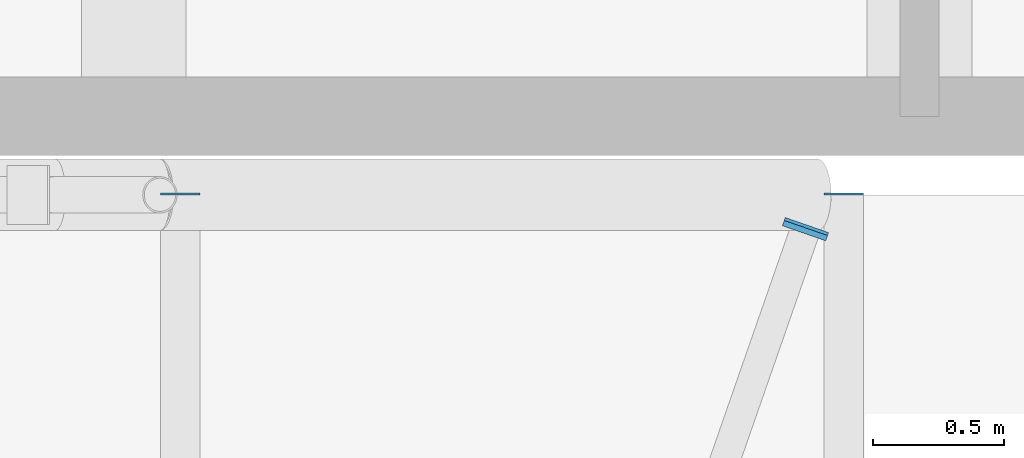
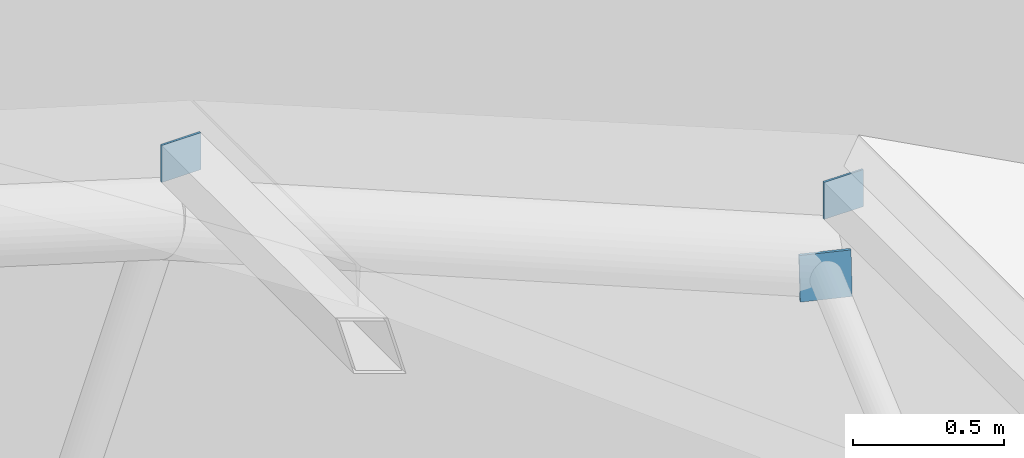
# One storey, part 80 of 92: 3 discrete accessories.
"""IFC4 building model written with IfcOpenShell, lengths in metres."""

from ifc_helpers import new_model, si_unit, direction, frame, origin, origin_2d, place, context, subcontext, project, spatial, rectangle, extrude, material, material_profile, profile_set, type_object, element, save


model = new_model("IFC4")

# Units and contexts
model_context = context("Model", 3, precision=1e-05, world=origin(), true_north=direction((0.0, 1.0)))
body_context = subcontext(model_context, "Body", "Model", "MODEL_VIEW")
ifc_project = project(units=[si_unit("LENGTHUNIT", "METRE"), si_unit("AREAUNIT", "SQUARE_METRE"), si_unit("VOLUMEUNIT", "CUBIC_METRE"), si_unit("PLANEANGLEUNIT", "RADIAN"), si_unit("MASSUNIT", "GRAM", prefix="KILO")], contexts=[model_context])

# Site, building, storey
site_placement = place(None, origin())
site = spatial("IfcSite", under=ifc_project, at=site_placement, CompositionType="ELEMENT")
building_placement = place(site_placement, origin())
building = spatial("IfcBuilding", under=site, at=building_placement, Name="Laocheng Heights Fire and Rescue Headquarters", CompositionType="ELEMENT")
storey_placement = place(building_placement, frame((0.0, 0.0, 12.60009765625)))
storey = spatial("IfcBuildingStorey", under=building, at=storey_placement, Name="L03", CompositionType="ELEMENT", Elevation=12.60009765625)

# Discrete accessories
ifc_material_1 = material(Name="Steel Q355B", Category="steel")
ifc_material_profile_1 = material_profile(ifc_material_1, rectangle(XDim=0.14990234375, YDim=0.14990234375, at=origin_2d()), Name="END CAP PLATE 150 x 150 x 8 FOR BAY ROOF PURLIN SHS 150x150x8")
ifc_profile_set_1 = profile_set([ifc_material_profile_1], Name="Steel Q355B")
discrete_accessory_type_1 = type_object("IfcDiscreteAccessoryType", Name="END CAP PLATE 150 x 150 x 8 FOR BAY ROOF PURLIN SHS 150x150x8", PredefinedType="BRACKET", material=ifc_profile_set_1)
for number, where, z_axis, x_axis, name in (
    (1, (45.177490234375, 21.60009765625, 2.8583984375), (0.0, 1.0, 0.0), (-1.0, 0.0, 0.0), "Cap plate at Purlin 13.3 end 2"),
    (2, (47.710693359375, 21.60009765625, 1.822265625), (0.0, 1.0, 0.0), (-1.0, 0.0, 0.0), "Cap plate at Purlin 14.3 end 2"),
):
    element("IfcDiscreteAccessory", number, at=place(storey_placement, frame(where, z_axis=z_axis, x_axis=x_axis)), inside=storey, type_object=discrete_accessory_type_1, Name=name, PredefinedType="BRACKET", context=body_context, shape_type="SweptSolid", body=[
        extrude(rectangle(XDim=0.14990234375, YDim=0.14990234375, at=origin_2d()), origin(), (0.0, 0.0, 1.0), 0.0078125),
    ])
ifc_material_2 = material(Name="Steel Q355B, dark grey painted", Category="steel")
ifc_material_profile_2 = material_profile(ifc_material_2, rectangle(XDim=0.175048828125, YDim=0.175048828125, at=origin_2d()), Name="GUSSET PLATE 175 x 175 x 12 FOR BAY ROOF BRACE CHS 114.3x5")
ifc_profile_set_2 = profile_set([ifc_material_profile_2], Name="Steel Q355B, dark grey painted")
discrete_accessory_type_2 = type_object("IfcDiscreteAccessoryType", Name="GUSSET PLATE 175 x 175 x 12 FOR BAY ROOF BRACE CHS 114.3x5", PredefinedType="BRACKET", material=ifc_profile_set_2)
discrete_accessory_placement = place(storey_placement, frame((47.5625, 21.46337890625, 1.62744140625), z_axis=(0.326055658376, 0.93741001783, -0.122270871891), x_axis=(-0.944496796706, 0.328520624941, 0.0)))
element("IfcDiscreteAccessory", 3, at=discrete_accessory_placement, inside=storey, type_object=discrete_accessory_type_2, Name="End plate at BR29 end 2", PredefinedType="BRACKET", context=body_context, shape_type="SweptSolid", body=[
    extrude(rectangle(XDim=0.175048828125, YDim=0.175048828125, at=origin_2d()), origin(), (0.0, 0.0, 1.0), 0.011962890625),
])

save(model, "model.ifc")
